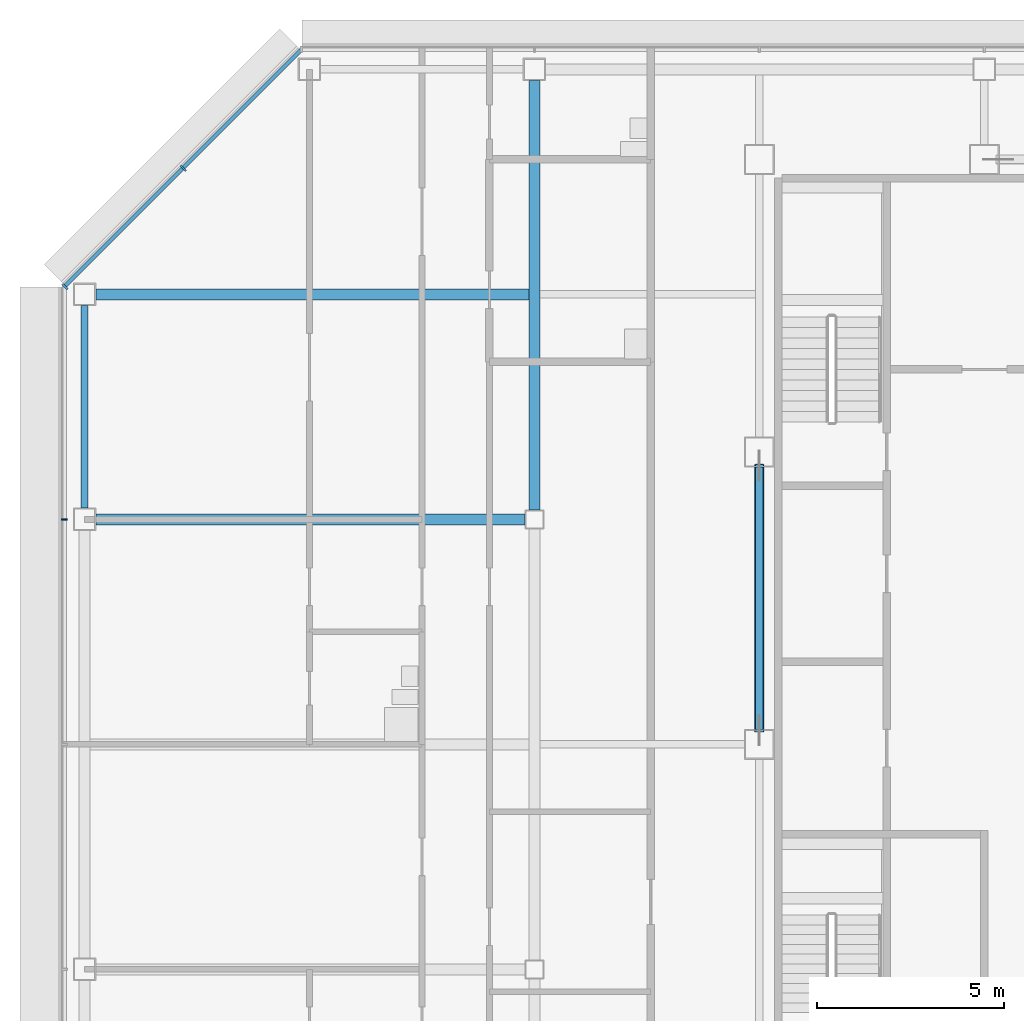
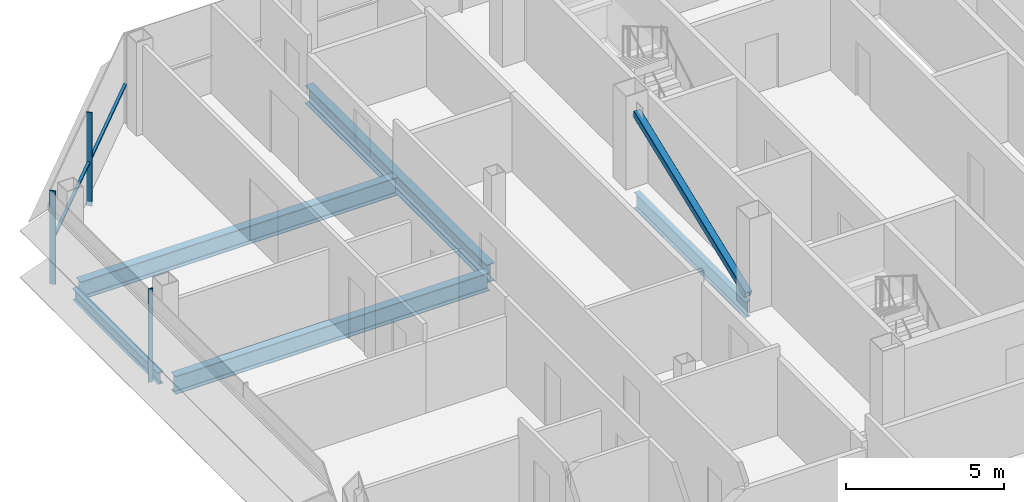
# One storey, part 12 of 28: 5 beams, 5 members, 2 elements without a shape of their own.
"""IFC4 building model written with IfcOpenShell, lengths in metres."""

import ifcopenshell
import ifcopenshell.guid

model = None  # the IFC model being written
_history = None  # IfcOwnerHistory: only IFC2X3 demands one
_inside = {}  # id of a spatial element -> (the spatial element, [elements in it])
_under = {}  # id of a project, library or spatial element -> (it, [spatial elements below it])
_declared = {}  # id of a project -> (the project, [libraries it declares])
_typed = {}  # id of a type object -> (the type object, [elements of that type])
_made_of = {}  # id of a material, layer set ... -> (it, [elements and type objects made of it])


def new_model(schema):
    """Start an empty IFC model of exactly this schema.

    Asked for "IFC4X3", IfcOpenShell would pick the latest addendum, in which some entities
    have other attributes; the version numbers below select the first issue.
    IFC2X3 requires an IfcOwnerHistory on every rooted entity: one is made here for all.
    """
    global model, _history
    if schema == "IFC4X3":
        model = ifcopenshell.file(schema_version=(4, 3, 0, 0))
    else:
        model = ifcopenshell.file(schema=schema)
    _inside.clear()
    _under.clear()
    _declared.clear()
    _typed.clear()
    _made_of.clear()
    _history = None
    if model.schema == "IFC2X3":
        org = make("IfcOrganization", Name="unknown")
        user = make(
            "IfcPersonAndOrganization",
            ThePerson=make("IfcPerson", FamilyName="unknown"),
            TheOrganization=org,
        )
        app = make(
            "IfcApplication",
            ApplicationDeveloper=org,
            Version="unknown",
            ApplicationFullName="unknown",
            ApplicationIdentifier="unknown",
        )
        _history = make(
            "IfcOwnerHistory",
            OwningUser=user,
            OwningApplication=app,
            ChangeAction="ADDED",
            CreationDate=0,
        )
    return model


def make(cls, **values):
    """One entity of the class cls with the attributes given. An attribute that is None is left unset."""
    return model.create_entity(
        cls, **{name: value for name, value in values.items() if value is not None}
    )


def rooted(cls, **values):
    """An entity with a GlobalId (a new one), such as an element, a storey or a relation."""
    return make(cls, GlobalId=ifcopenshell.guid.new(), OwnerHistory=_history, **values)


def si_unit(unit_type, name, prefix=None):
    """IfcSIUnit, for example si_unit("LENGTHUNIT", "METRE", prefix="MILLI")."""
    return make("IfcSIUnit", UnitType=unit_type, Prefix=prefix, Name=name)


def assignment(units):
    """IfcUnitAssignment: the units of a project."""
    return None if units is None else make("IfcUnitAssignment", Units=units)


def point(xyz):
    """IfcCartesianPoint."""
    return None if xyz is None else make("IfcCartesianPoint", Coordinates=xyz)


def direction(xyz):
    """IfcDirection."""
    return None if xyz is None else make("IfcDirection", DirectionRatios=xyz)


def frame(location, z_axis=None, x_axis=None):
    """IfcAxis2Placement3D, a coordinate frame: its origin and axes. An axis left out is left unset."""
    return make(
        "IfcAxis2Placement3D",
        Location=point(location),
        Axis=direction(z_axis),
        RefDirection=direction(x_axis),
    )


def frame_2d(location, x_axis=None):
    """IfcAxis2Placement2D, a coordinate frame in the plane: its origin and x axis."""
    return make(
        "IfcAxis2Placement2D", Location=point(location), RefDirection=direction(x_axis)
    )


def origin():
    """The frame at (0, 0, 0) with its axes left unset."""
    return frame((0.0, 0.0, 0.0))


def origin_2d():
    """The frame at (0, 0) in the plane with its x axis left unset."""
    return frame_2d((0.0, 0.0))


def place(relative_to, where):
    """IfcLocalPlacement: puts the frame where relative to a parent placement (None: the world)."""
    return make(
        "IfcLocalPlacement", PlacementRelTo=relative_to, RelativePlacement=where
    )


def context(
    kind, dimensions, precision=None, world=None, true_north=None, identifier=None
):
    """IfcGeometricRepresentationContext, for example the 3D "Model" context."""
    return make(
        "IfcGeometricRepresentationContext",
        ContextIdentifier=identifier,
        ContextType=kind,
        CoordinateSpaceDimension=dimensions,
        Precision=precision,
        WorldCoordinateSystem=world,
        TrueNorth=true_north,
    )


def subcontext(parent, identifier, kind, view, scale=None):
    """IfcGeometricRepresentationSubContext, for example "Body" below "Model"."""
    return make(
        "IfcGeometricRepresentationSubContext",
        ContextIdentifier=identifier,
        ContextType=kind,
        ParentContext=parent,
        TargetScale=scale,
        TargetView=view,
    )


def project(units=None, contexts=None):
    """IfcProject with its units and contexts."""
    return rooted(
        "IfcProject",
        Name="project",
        RepresentationContexts=contexts,
        UnitsInContext=assignment(units),
    )


def spatial(cls, under=None, at=None, **own):
    """A site, building, storey or space (cls), placed at a placement, below another one or the project."""
    s = rooted(cls, ObjectPlacement=at, **own)
    if under is not None:
        _under.setdefault(under.id(), (under, []))[1].append(s)
    return s


def profile(cls, at=None, kind="AREA", **sizes):
    """A parametric profile (cls). Its sizes go by their IFC names, for example OverallWidth=200.0."""
    return make(cls, ProfileType=kind, Position=at, **sizes)


def rectangle(**sizes):
    """IfcRectangleProfileDef."""
    return profile("IfcRectangleProfileDef", **sizes)


def hollow_rectangle(**sizes):
    """IfcRectangleHollowProfileDef."""
    return profile("IfcRectangleHollowProfileDef", **sizes)


def i_section(**sizes):
    """IfcIShapeProfileDef."""
    return profile("IfcIShapeProfileDef", **sizes)


def extrude(swept, where, along, depth):
    """IfcExtrudedAreaSolid: the profile swept, set in the frame where, extruded along a direction by depth."""
    return make(
        "IfcExtrudedAreaSolid",
        SweptArea=swept,
        Position=where,
        ExtrudedDirection=direction(along),
        Depth=depth,
    )


def shape(context_of_items, identifier, shape_type, items):
    """IfcShapeRepresentation: the items that make up one representation, for example the "Body"."""
    return make(
        "IfcShapeRepresentation",
        ContextOfItems=context_of_items,
        RepresentationIdentifier=identifier,
        RepresentationType=shape_type,
        Items=items,
    )


def material(Name=None, Category=None):
    """IfcMaterial."""
    return make("IfcMaterial", Name=Name, Category=Category)


def material_profile(
    of_material, cross_section, Name=None, Category=None, Priority=None
):
    """IfcMaterialProfile: a cross section and its material."""
    return make(
        "IfcMaterialProfile",
        Name=Name,
        Material=of_material,
        Profile=cross_section,
        Priority=Priority,
        Category=Category,
    )


def profile_set(profiles, Name=None, composite=None):
    """IfcMaterialProfileSet."""
    return make(
        "IfcMaterialProfileSet",
        Name=Name,
        MaterialProfiles=profiles,
        CompositeProfile=composite,
    )


def made_of(thing, what):
    """Note that an element or type object is made of a material, layer set ...; save() writes the relation."""
    if what is not None:
        _made_of.setdefault(what.id(), (what, []))[1].append(thing)
    return thing


def type_object(cls, material=None, **own):
    """A type object (cls), such as IfcWallType, which elements share."""
    return made_of(rooted(cls, **own), material)


def element(
    cls,
    number,
    at=None,
    inside=None,
    cuts=None,
    type_object=None,
    material=None,
    context=None,
    identifier="Body",
    shape_type=None,
    held_by="IfcProductDefinitionShape",
    body=None,
    shapes=None,
    **own,
):
    """One element of the class cls, such as IfcWall. Its Tag is "e" and its number.

    at: its placement. inside: the storey or other place that contains it. cuts: it is an
    opening in that element (IfcRelVoidsElement). A single representation is given by context,
    identifier, shape_type and body (its items); several are given by shapes. held_by: the class
    of the entity that holds the representations. save() writes the other relations.
    """
    e = rooted(cls, Tag="e%d" % number, ObjectPlacement=at, **own)
    if body is not None:
        shapes = [shape(context, identifier, shape_type, body)]
    if shapes is not None:
        e.Representation = make(held_by, Representations=shapes)
    if inside is not None:
        _inside.setdefault(inside.id(), (inside, []))[1].append(e)
    if cuts is not None:
        rooted(
            "IfcRelVoidsElement", RelatingBuildingElement=cuts, RelatedOpeningElement=e
        )
    if type_object is not None:
        _typed.setdefault(type_object.id(), (type_object, []))[1].append(e)
    return made_of(e, material)


def aggregate(whole, parts):
    """IfcRelAggregates: a whole, such as a stair, and the parts it consists of."""
    return rooted("IfcRelAggregates", RelatingObject=whole, RelatedObjects=parts)


def save(model, path):
    """Write the relations noted so far, then the file.

    IfcRelAggregates (storeys below a building ...), IfcRelContainedInSpatialStructure (elements
    in a storey), IfcRelDefinesByType, IfcRelAssociatesMaterial and IfcRelDeclares: one each for
    every whole, place, type object, material and project.
    """
    for whole, parts in _under.values():
        aggregate(whole, parts)
    for where, things in _inside.values():
        rooted(
            "IfcRelContainedInSpatialStructure",
            RelatedElements=things,
            RelatingStructure=where,
        )
    for kind, things in _typed.values():
        rooted("IfcRelDefinesByType", RelatedObjects=things, RelatingType=kind)
    for what, things in _made_of.values():
        rooted("IfcRelAssociatesMaterial", RelatedObjects=things, RelatingMaterial=what)
    for by, libraries in _declared.values():
        rooted("IfcRelDeclares", RelatingContext=by, RelatedDefinitions=libraries)
    model.write(path)


model = new_model("IFC4")

# Units and contexts
model_context = context("Model", 3, precision=1e-05, world=origin(), true_north=direction((0.0, 1.0)))
body_context = subcontext(model_context, "Body", "Model", "MODEL_VIEW")
ifc_project = project(units=[si_unit("LENGTHUNIT", "METRE"), si_unit("AREAUNIT", "SQUARE_METRE"), si_unit("VOLUMEUNIT", "CUBIC_METRE"), si_unit("PLANEANGLEUNIT", "RADIAN"), si_unit("MASSUNIT", "GRAM", prefix="KILO")], contexts=[model_context])

# Site, building, storey
site_placement = place(None, origin())
site = spatial("IfcSite", under=ifc_project, at=site_placement, CompositionType="ELEMENT")
building_placement = place(site_placement, origin())
building = spatial("IfcBuilding", under=site, at=building_placement, Name="Sorahane Residences", CompositionType="ELEMENT")
storey_placement = place(building_placement, frame((0.0, 0.0, 270.199951171875)))
storey = spatial("IfcBuildingStorey", under=building, at=storey_placement, Name="L64", CompositionType="ELEMENT", Elevation=270.199951171875)

# Member
ifc_material_1 = material(Name="Steel Q355B", Category="steel")
ifc_material_profile_1 = material_profile(ifc_material_1, hollow_rectangle(XDim=0.25, YDim=0.25, WallThickness=0.013916015625, InnerFilletRadius=0.007080078125, OuterFilletRadius=0.02099609375, at=origin_2d()), Name="RHS 250x250x14")
ifc_profile_set_1 = profile_set([ifc_material_profile_1], Name="Steel Q355B")
member_type_1 = type_object("IfcMemberType", Name="Core brace RHS 250x250x14 Q355B", PredefinedType="BRACE", material=ifc_profile_set_1)
member_1_placement = place(storey_placement, frame((6.0, 30.372802734375, 0.114501953125), z_axis=(0.0, 0.932102104456, 0.362195619617), x_axis=(-1.0, 0.0, 0.0)))
element("IfcMember", 1, at=member_1_placement, inside=storey, type_object=member_type_1, Name="Core brace L64 x6-2", PredefinedType="BRACE", context=body_context, shape_type="SweptSolid", body=[
    extrude(hollow_rectangle(XDim=0.25, YDim=0.25, WallThickness=0.013916015625, InnerFilletRadius=0.007080078125, OuterFilletRadius=0.02099609375, at=origin_2d()), origin(), (0.0, 0.0, 1.0), 7.568359375),
])

# Curtain wall, member
ifc_material_2 = material(Name="Dark low-e glass and black anodised aluminium", Category="aluminium")
curtain_wall_type_1 = type_object("IfcCurtainWallType", Name="Curtain wall CW-1 Typical unitised wall", PredefinedType="NOTDEFINED", material=ifc_material_2)
curtain_wall_1_placement = place(storey_placement, origin())
curtain_wall_1 = element("IfcCurtainWall", 2, at=curtain_wall_1_placement, inside=storey, type_object=curtain_wall_type_1, Name="CW-1 curtain wall L64 W1", PredefinedType="NOTDEFINED")
ifc_material_3 = material(Name="Black anodised aluminium", Category="aluminium")
ifc_material_profile_2 = material_profile(ifc_material_3, rectangle(XDim=0.159912109375, YDim=0.050048828125, at=origin_2d()), Name="Curtain wall mullion CW-1 black anodised aluminium 50x160")
ifc_profile_set_2 = profile_set([ifc_material_profile_2], Name="Black anodised aluminium")
member_type_2 = type_object("IfcMemberType", Name="Curtain wall mullion CW-1 black anodised aluminium 50x160", PredefinedType="MULLION", material=ifc_profile_set_2)
member_2_placement = place(storey_placement, frame((-12.5400390625, 36.0, -0.179931640625), z_axis=(0.0, 0.0, 1.0), x_axis=(-1.0, 0.0, 0.0)))
member_2 = element("IfcMember", 3, at=member_2_placement, type_object=member_type_2, Name="CW-1 mullion L64 W1.2", PredefinedType="MULLION", context=body_context, shape_type="SweptSolid", body=[
    extrude(rectangle(XDim=0.159912109375, YDim=0.050048828125, at=origin_2d()), origin(), (0.0, 0.0, 1.0), 3.60009765625),
])
aggregate(curtain_wall_1, [member_2])

# Curtain wall, members
ifc_material_4 = material(Name="Dark low-e glass and black anodised aluminium", Category="aluminium")
curtain_wall_type_2 = type_object("IfcCurtainWallType", Name="Curtain wall CW-2 Chamfer unitised wall", PredefinedType="NOTDEFINED", material=ifc_material_4)
curtain_wall_2_placement = place(storey_placement, origin())
curtain_wall_2 = element("IfcCurtainWall", 4, at=curtain_wall_2_placement, inside=storey, type_object=curtain_wall_type_2, Name="CW-2 curtain wall L64 NW1", PredefinedType="NOTDEFINED")
ifc_material_5 = material(Name="Black anodised aluminium", Category="aluminium")
ifc_material_profile_3 = material_profile(ifc_material_5, rectangle(XDim=0.199951171875, YDim=0.050048828125, at=origin_2d()), Name="Curtain wall mullion CW-2 black anodised aluminium 50x200")
ifc_profile_set_3 = profile_set([ifc_material_profile_3], Name="Black anodised aluminium")
member_type_3 = type_object("IfcMemberType", Name="Curtain wall mullion CW-2 black anodised aluminium 50x200", PredefinedType="MULLION", material=ifc_profile_set_3)
member_3_placement = place(storey_placement, frame((-9.36767578125, 45.36767578125, -0.179931640625), z_axis=(0.0, 0.0, 1.0), x_axis=(-0.707106781187, 0.707106781187, 0.0)))
member_3 = element("IfcMember", 5, at=member_3_placement, type_object=member_type_3, Name="CW-2 mullion L64 NW1.2", PredefinedType="MULLION", context=body_context, shape_type="SweptSolid", body=[
    extrude(rectangle(XDim=0.199951171875, YDim=0.050048828125, at=origin_2d()), origin(), (0.0, 0.0, 1.0), 3.60009765625),
])
member_4_placement = place(storey_placement, frame((-12.525634765625, 42.209716796875, -0.179931640625), z_axis=(0.0, 0.0, 1.0), x_axis=(-0.707106781187, 0.707106781187, 0.0)))
member_4 = element("IfcMember", 6, at=member_4_placement, type_object=member_type_3, Name="CW-2 mullion L64 NW1.3", PredefinedType="MULLION", context=body_context, shape_type="SweptSolid", body=[
    extrude(rectangle(XDim=0.199951171875, YDim=0.050048828125, at=origin_2d()), origin(), (0.0, 0.0, 1.0), 3.60009765625),
])
ifc_material_6 = material(Name="Black anodised aluminium", Category="aluminium")
ifc_material_profile_4 = material_profile(ifc_material_6, rectangle(XDim=0.10009765625, YDim=0.06005859375, at=origin_2d()), Name="Curtain wall transom CW-2 black anodised aluminium 60x100")
ifc_profile_set_4 = profile_set([ifc_material_profile_4], Name="Black anodised aluminium")
member_type_4 = type_object("IfcMemberType", Name="Curtain wall transom CW-2 black anodised aluminium 60x100", PredefinedType="USERDEFINED", material=ifc_profile_set_4)
member_5_placement = place(storey_placement, frame((-6.234375, 48.51513671875, 1.5), z_axis=(-0.707106781187, -0.707106781187, 0.0), x_axis=(0.707106781187, -0.707106781187, 0.0)))
member_5 = element("IfcMember", 7, at=member_5_placement, type_object=member_type_4, Name="CW-2 transom L64 NW1", ObjectType="TRANSOM", PredefinedType="USERDEFINED", context=body_context, shape_type="SweptSolid", body=[
    extrude(rectangle(XDim=0.10009765625, YDim=0.06005859375, at=origin_2d()), origin(), (0.0, 0.0, 1.0), 8.88232421875),
])
aggregate(curtain_wall_2, [member_3, member_4, member_5])

# Beams
ifc_material_7 = material(Name="Steel Q355B", Category="steel")
ifc_material_profile_5 = material_profile(ifc_material_7, i_section(OverallWidth=0.199951171875, OverallDepth=0.449951171875, WebThickness=0.009033203125, FlangeThickness=0.013916015625, FilletRadius=0.02001953125, at=origin_2d()), Name="HN 450x200x9x14")
ifc_profile_set_5 = profile_set([ifc_material_profile_5], Name="Steel Q355B")
beam_type_1 = type_object("IfcBeamType", Name="Steel floor beam HN 450x200x9x14 Q355B", PredefinedType="BEAM", material=ifc_profile_set_5)
beam_1_placement = place(storey_placement, frame((-12.0, 36.300048828125, -0.405029296875), z_axis=(0.0, 1.0, 0.0), x_axis=(-1.0, 0.0, 0.0)))
element("IfcBeam", 8, at=beam_1_placement, inside=storey, type_object=beam_type_1, Name="Beam L64 023", PredefinedType="BEAM", context=body_context, shape_type="SweptSolid", body=[
    extrude(i_section(OverallWidth=0.199951171875, OverallDepth=0.449951171875, WebThickness=0.009033203125, FlangeThickness=0.013916015625, FilletRadius=0.02001953125, at=origin_2d()), origin(), (0.0, 0.0, 1.0), 5.39990234375),
])
ifc_material_8 = material(Name="Steel Q355B", Category="steel")
ifc_material_profile_6 = material_profile(ifc_material_8, i_section(OverallWidth=0.199951171875, OverallDepth=0.60009765625, WebThickness=0.010986328125, FlangeThickness=0.01708984375, FilletRadius=0.02392578125, at=origin_2d()), Name="HN 600x200x11x17")
ifc_profile_set_6 = profile_set([ifc_material_profile_6], Name="Steel Q355B")
beam_type_2 = type_object("IfcBeamType", Name="Steel floor beam HN 600x200x11x17 Q355B", PredefinedType="BEAM", material=ifc_profile_set_6)
beam_2_placement = place(storey_placement, frame((6.0, 30.39990234375, -0.47998046875), z_axis=(0.0, 1.0, 0.0), x_axis=(-1.0, 0.0, 0.0)))
element("IfcBeam", 9, at=beam_2_placement, inside=storey, type_object=beam_type_2, Name="Beam L64 031", PredefinedType="BEAM", context=body_context, shape_type="SweptSolid", body=[
    extrude(i_section(OverallWidth=0.199951171875, OverallDepth=0.60009765625, WebThickness=0.010986328125, FlangeThickness=0.01708984375, FilletRadius=0.02392578125, at=origin_2d()), origin(), (0.0, 0.0, 1.0), 7.0),
])
ifc_material_9 = material(Name="Steel Q355B", Category="steel")
ifc_material_profile_7 = material_profile(ifc_material_9, i_section(OverallWidth=0.300048828125, OverallDepth=0.699951171875, WebThickness=0.012939453125, FlangeThickness=0.02392578125, FilletRadius=0.028076171875, at=origin_2d()), Name="HN 700x300x13x24")
ifc_profile_set_7 = profile_set([ifc_material_profile_7], Name="Steel Q355B")
beam_type_3 = type_object("IfcBeamType", Name="Steel floor beam HN 700x300x13x24 Q355B", PredefinedType="BEAM", material=ifc_profile_set_7)
for number, where, z_axis, x_axis, name in (
    (10, (-11.699951171875, 36.0, -0.530029296875), (1.0, 0.0, 0.0), (0.0, 1.0, 0.0), "Beam L64 013"),
    (11, (0.0, 36.25, -0.530029296875), (0.0, 1.0, 0.0), (-1.0, 0.0, 0.0), "Beam L64 027"),
):
    element("IfcBeam", number, at=place(storey_placement, frame(where, z_axis=z_axis, x_axis=x_axis)), inside=storey, type_object=beam_type_3, Name=name, PredefinedType="BEAM", context=body_context, shape_type="SweptSolid", body=[
        extrude(i_section(OverallWidth=0.300048828125, OverallDepth=0.699951171875, WebThickness=0.012939453125, FlangeThickness=0.02392578125, FilletRadius=0.028076171875, at=origin_2d()), origin(), (0.0, 0.0, 1.0), 11.449951171875),
    ])
beam_3_placement = place(storey_placement, frame((-11.699951171875, 42.0, -0.530029296875), z_axis=(1.0, 0.0, 0.0), x_axis=(0.0, 1.0, 0.0)))
element("IfcBeam", 12, at=beam_3_placement, inside=storey, type_object=beam_type_3, Name="Beam L64 089", PredefinedType="BEAM", context=body_context, shape_type="SweptSolid", body=[
    extrude(i_section(OverallWidth=0.300048828125, OverallDepth=0.699951171875, WebThickness=0.012939453125, FlangeThickness=0.02392578125, FilletRadius=0.028076171875, at=origin_2d()), origin(), (0.0, 0.0, 1.0), 11.550048828125),
])

save(model, "model.ifc")
